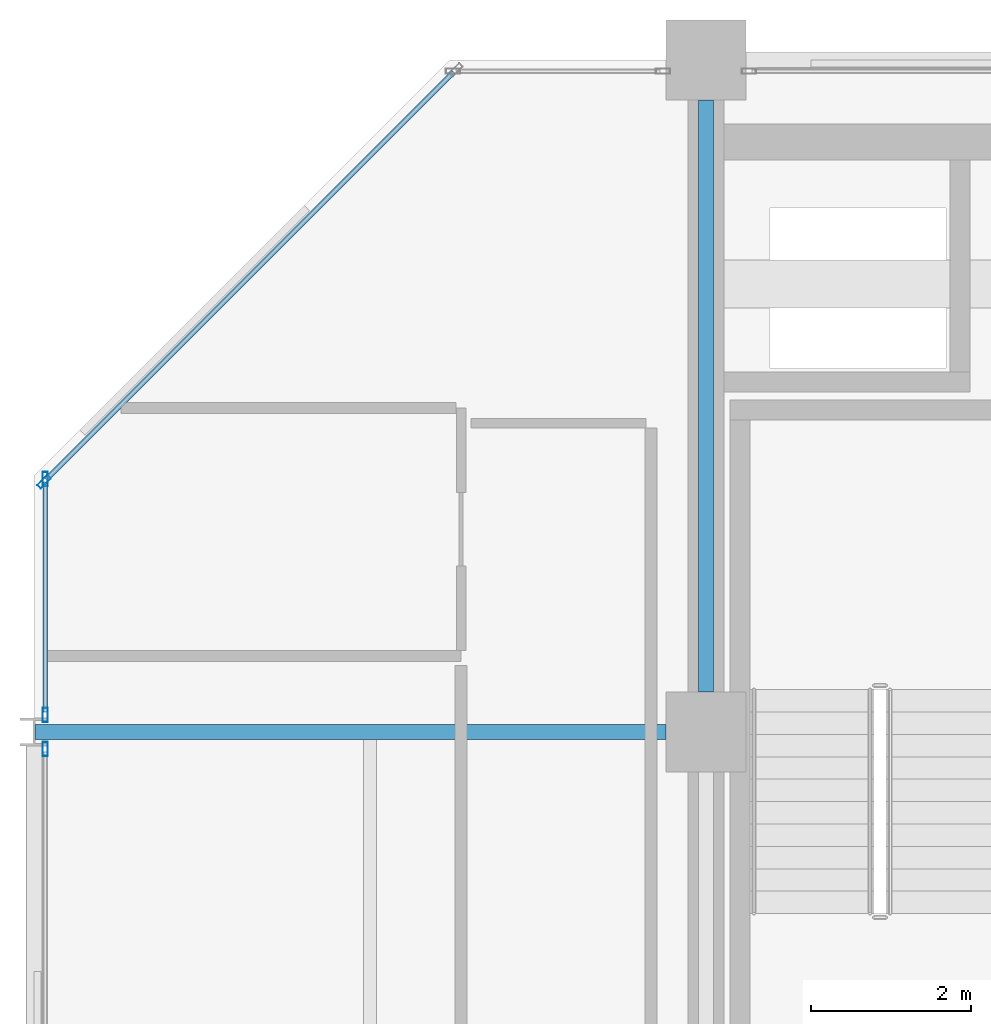
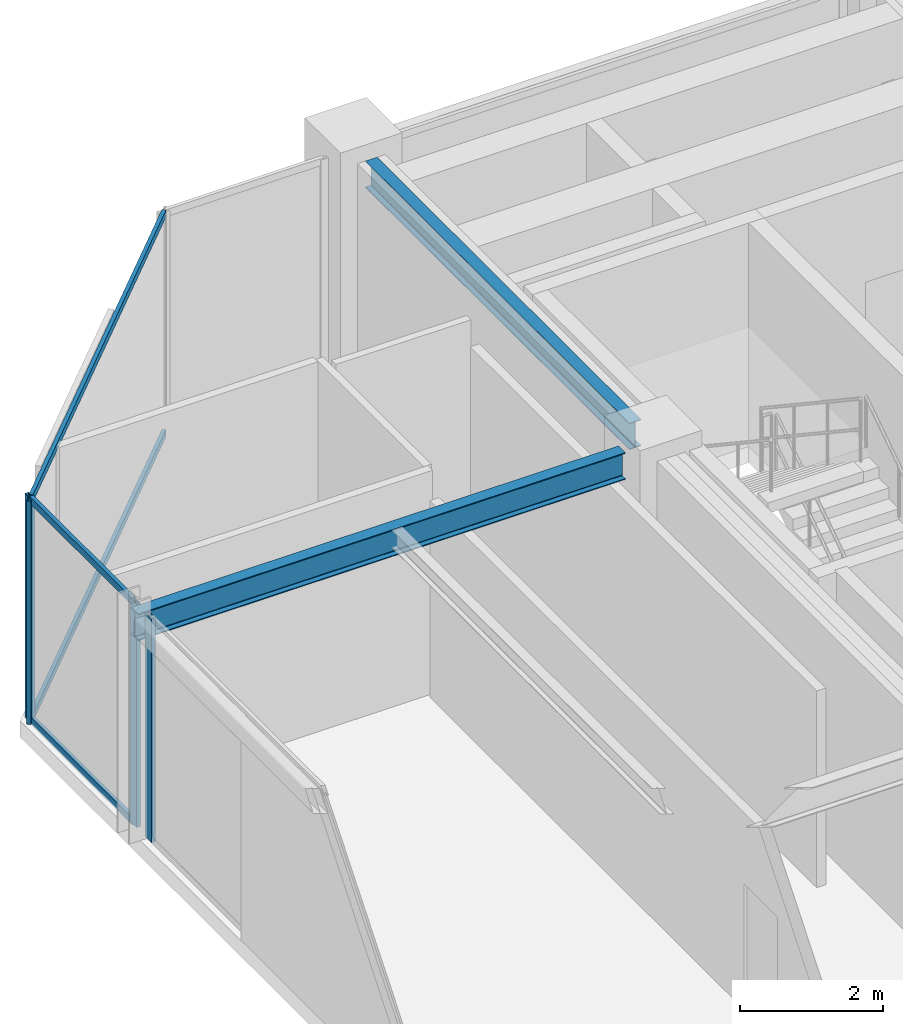
# One storey, part 16 of 25: 8 members, 2 beams, 3 elements without a shape of their own.
"""IFC4 building model written with IfcOpenShell, lengths in metres."""

from ifc_helpers import new_model, si_unit, direction, frame, origin, origin_2d, place, context, subcontext, project, spatial, hollow_rectangle, i_section, extrude, material, layer, layer_set, material_profile, profile_set, type_object, element, aggregate, save


model = new_model("IFC4")

# Units and contexts
model_context = context("Model", 3, precision=1e-05, world=origin(), true_north=direction((0.0, 1.0)))
body_context = subcontext(model_context, "Body", "Model", "MODEL_VIEW")
ifc_project = project(units=[si_unit("LENGTHUNIT", "METRE"), si_unit("AREAUNIT", "SQUARE_METRE"), si_unit("VOLUMEUNIT", "CUBIC_METRE"), si_unit("PLANEANGLEUNIT", "RADIAN"), si_unit("MASSUNIT", "GRAM", prefix="KILO")], contexts=[model_context])

# Site, building, storey
site_placement = place(None, origin())
site = spatial("IfcSite", under=ifc_project, at=site_placement, CompositionType="ELEMENT")
building_placement = place(site_placement, origin())
building = spatial("IfcBuilding", under=site, at=building_placement, Name="Nerrivon Quay Data Exchange", CompositionType="ELEMENT")
storey_placement = place(building_placement, frame((0.0, 0.0, 237.0)))
storey = spatial("IfcBuildingStorey", under=building, at=storey_placement, Name="L56", CompositionType="ELEMENT", Elevation=237.0)

# Beams
ifc_material_1 = material(Name="Steel Grade 350", Category="steel")
ifc_material_profile_1 = material_profile(ifc_material_1, i_section(OverallWidth=0.19091796875, OverallDepth=0.4599609375, WebThickness=0.010009765625, FlangeThickness=0.01611328125, FilletRadius=0.011474609375, at=origin_2d()), Name="460UB82.1")
ifc_profile_set_1 = profile_set([ifc_material_profile_1], Name="Steel Grade 350")
beam_type_1 = type_object("IfcBeamType", Name="BM-G5-460UB82", PredefinedType="BEAM", material=ifc_profile_set_1)
beam_1_placement = place(storey_placement, frame((0.010009765625, 33.60009765625, 3.594970703125), z_axis=(1.0, 0.0, 0.0), x_axis=(0.0, 1.0, 0.0)))
element("IfcBeam", 1, at=beam_1_placement, inside=storey, type_object=beam_type_1, Name="L56 EW Girder Y=33.6 (0.0..8.4)", PredefinedType="BEAM", context=body_context, shape_type="SweptSolid", body=[
    extrude(i_section(OverallWidth=0.19091796875, OverallDepth=0.4599609375, WebThickness=0.010009765625, FlangeThickness=0.01611328125, FilletRadius=0.011474609375, at=origin_2d()), origin(), (0.0, 0.0, 1.0), 7.889892578125),
])
ifc_material_profile_2 = material_profile(ifc_material_1, i_section(OverallWidth=0.18994140625, OverallDepth=0.4541015625, WebThickness=0.008544921875, FlangeThickness=0.0126953125, FilletRadius=0.011474609375, at=origin_2d()), Name="460UB67.1")
ifc_profile_set_2 = profile_set([ifc_material_profile_2], Name="Steel Grade 350")
beam_type_2 = type_object("IfcBeamType", Name="BM-G6-460UB67", PredefinedType="BEAM", material=ifc_profile_set_2)
beam_2_placement = place(storey_placement, frame((8.39990234375, 34.10009765625, 3.597900390625), z_axis=(0.0, 1.0, 0.0), x_axis=(-1.0, 0.0, 0.0)))
element("IfcBeam", 2, at=beam_2_placement, inside=storey, type_object=beam_type_2, Name="L56 NS Girder X=8.4 (33.6..42.0)", PredefinedType="BEAM", context=body_context, shape_type="SweptSolid", body=[
    extrude(i_section(OverallWidth=0.18994140625, OverallDepth=0.4541015625, WebThickness=0.008544921875, FlangeThickness=0.0126953125, FilletRadius=0.011474609375, at=origin_2d()), origin(), (0.0, 0.0, 1.0), 7.39990234375),
])

# Curtain wall, member
ifc_material_2 = material(Name="Anodised aluminium 6063-T6", Category="aluminium")
ifc_layer = layer(ifc_material_2, 0.195068359375)
ifc_layer_set = layer_set([ifc_layer], Name="Anodised aluminium 6063-T6")
curtain_wall_type = type_object("IfcCurtainWallType", Name="CW-SYS-06", PredefinedType="NOTDEFINED", material=ifc_layer_set)
curtain_wall_1_placement = place(storey_placement, origin())
curtain_wall_1 = element("IfcCurtainWall", 3, at=curtain_wall_1_placement, inside=storey, type_object=curtain_wall_type, Name="L56 Unitised Curtain Wall 14", PredefinedType="NOTDEFINED")
ifc_material_profile_3 = material_profile(ifc_material_2, hollow_rectangle(XDim=0.06494140625, YDim=0.179931640625, WallThickness=0.00341796875, at=origin_2d()), Name="ALU-MULL-180x65")
ifc_profile_set_3 = profile_set([ifc_material_profile_3], Name="Anodised aluminium 6063-T6")
member_type_1 = type_object("IfcMemberType", Name="CWM-180x65", PredefinedType="MULLION", material=ifc_profile_set_3)
member_1_placement = place(storey_placement, frame((0.139892578125, 33.387451171875, 0.0), z_axis=(0.0, 0.0, 1.0), x_axis=(-1.0, 0.0, 0.0)))
member_1 = element("IfcMember", 4, at=member_1_placement, type_object=member_type_1, Name="CW06 mullion 2", PredefinedType="MULLION", context=body_context, shape_type="SweptSolid", body=[
    extrude(hollow_rectangle(XDim=0.06494140625, YDim=0.179931640625, WallThickness=0.00341796875, at=origin_2d()), origin(), (0.0, 0.0, 1.0), 3.824951171875),
])
aggregate(curtain_wall_1, [member_1])

# Curtain wall, members
curtain_wall_2_placement = place(storey_placement, origin())
curtain_wall_2 = element("IfcCurtainWall", 5, at=curtain_wall_2_placement, inside=storey, type_object=curtain_wall_type, Name="L56 Unitised Curtain Wall 15", PredefinedType="NOTDEFINED")
member_2_placement = place(storey_placement, frame((0.139892578125, 33.8125, 0.0), z_axis=(0.0, 0.0, 1.0), x_axis=(-1.0, 0.0, 0.0)))
member_2 = element("IfcMember", 6, at=member_2_placement, type_object=member_type_1, Name="CW06 mullion 1", PredefinedType="MULLION", context=body_context, shape_type="SweptSolid", body=[
    extrude(hollow_rectangle(XDim=0.06494140625, YDim=0.179931640625, WallThickness=0.00341796875, at=origin_2d()), origin(), (0.0, 0.0, 1.0), 3.824951171875),
])
member_3_placement = place(storey_placement, frame((0.139892578125, 36.762451171875, 0.0), z_axis=(0.0, 0.0, 1.0), x_axis=(-1.0, 0.0, 0.0)))
member_3 = element("IfcMember", 7, at=member_3_placement, type_object=member_type_1, Name="CW06 mullion 2", PredefinedType="MULLION", context=body_context, shape_type="SweptSolid", body=[
    extrude(hollow_rectangle(XDim=0.06494140625, YDim=0.179931640625, WallThickness=0.00341796875, at=origin_2d()), origin(), (0.0, 0.0, 1.0), 3.824951171875),
])

# Curtain wall, member
curtain_wall_3_placement = place(storey_placement, origin())
curtain_wall_3 = element("IfcCurtainWall", 8, at=curtain_wall_3_placement, inside=storey, type_object=curtain_wall_type, Name="L56 Unitised Curtain Wall 16", PredefinedType="NOTDEFINED")
member_4_placement = place(storey_placement, frame((0.12548828125, 36.7275390625, 0.0), z_axis=(0.0, 0.0, 1.0), x_axis=(-0.707106781187, 0.707106781187, 0.0)))
member_4 = element("IfcMember", 9, at=member_4_placement, type_object=member_type_1, Name="CW06 mullion 1", PredefinedType="MULLION", context=body_context, shape_type="SweptSolid", body=[
    extrude(hollow_rectangle(XDim=0.06494140625, YDim=0.179931640625, WallThickness=0.00341796875, at=origin_2d()), origin(), (0.0, 0.0, 1.0), 3.824951171875),
])

# Member
ifc_material_profile_4 = material_profile(ifc_material_2, hollow_rectangle(XDim=0.06005859375, YDim=0.1201171875, WallThickness=0.003173828125, at=origin_2d()), Name="ALU-TRAN-120x60")
ifc_profile_set_4 = profile_set([ifc_material_profile_4], Name="Anodised aluminium 6063-T6")
member_type_2 = type_object("IfcMemberType", Name="CWT-120x60", PredefinedType="USERDEFINED", material=ifc_profile_set_4)
member_5_placement = place(storey_placement, frame((0.139892578125, 33.85009765625, 0.032470703125), z_axis=(0.0, 1.0, 0.0), x_axis=(-1.0, 0.0, 0.0)))
member_5 = element("IfcMember", 10, at=member_5_placement, type_object=member_type_2, Name="CW06 transom 1.1", ObjectType="TRANSOM", PredefinedType="USERDEFINED", context=body_context, shape_type="SweptSolid", body=[
    extrude(hollow_rectangle(XDim=0.06005859375, YDim=0.1201171875, WallThickness=0.003173828125, at=origin_2d()), origin(), (0.0, 0.0, 1.0), 2.875),
])

member_6_placement = place(storey_placement, frame((0.139892578125, 33.85009765625, 3.79248046875), z_axis=(0.0, 1.0, 0.0), x_axis=(-1.0, 0.0, 0.0)))
member_6 = element("IfcMember", 11, at=member_6_placement, type_object=member_type_2, Name="CW06 transom 1.2", ObjectType="TRANSOM", PredefinedType="USERDEFINED", context=body_context, shape_type="SweptSolid", body=[
    extrude(hollow_rectangle(XDim=0.06005859375, YDim=0.1201171875, WallThickness=0.003173828125, at=origin_2d()), origin(), (0.0, 0.0, 1.0), 2.875),
])

aggregate(curtain_wall_2, [member_2, member_3, member_5, member_6])

member_7_placement = place(storey_placement, frame((0.152099609375, 36.754150390625, 0.032470703125), z_axis=(0.707106781187, 0.707106781187, 0.0), x_axis=(-0.707106781187, 0.707106781187, 0.0)))
member_7 = element("IfcMember", 12, at=member_7_placement, type_object=member_type_2, Name="CW06 transom 1.1", ObjectType="TRANSOM", PredefinedType="USERDEFINED", context=body_context, shape_type="SweptSolid", body=[
    extrude(hollow_rectangle(XDim=0.06005859375, YDim=0.1201171875, WallThickness=0.003173828125, at=origin_2d()), origin(), (0.0, 0.0, 1.0), 7.20361328125),
])

member_8_placement = place(storey_placement, frame((0.152099609375, 36.754150390625, 3.79248046875), z_axis=(0.707106781187, 0.707106781187, 0.0), x_axis=(-0.707106781187, 0.707106781187, 0.0)))
member_8 = element("IfcMember", 13, at=member_8_placement, type_object=member_type_2, Name="CW06 transom 1.2", ObjectType="TRANSOM", PredefinedType="USERDEFINED", context=body_context, shape_type="SweptSolid", body=[
    extrude(hollow_rectangle(XDim=0.06005859375, YDim=0.1201171875, WallThickness=0.003173828125, at=origin_2d()), origin(), (0.0, 0.0, 1.0), 7.20361328125),
])

aggregate(curtain_wall_3, [member_4, member_7, member_8])

save(model, "model.ifc")
